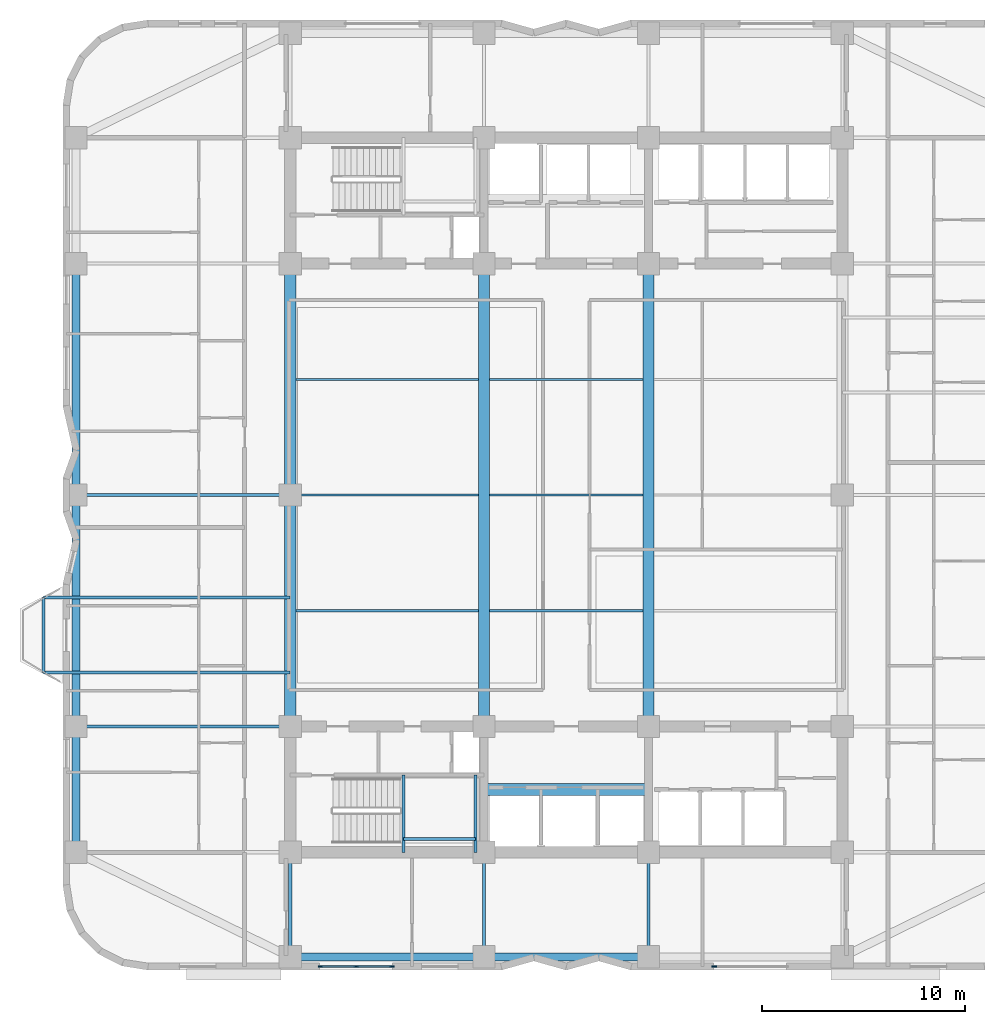
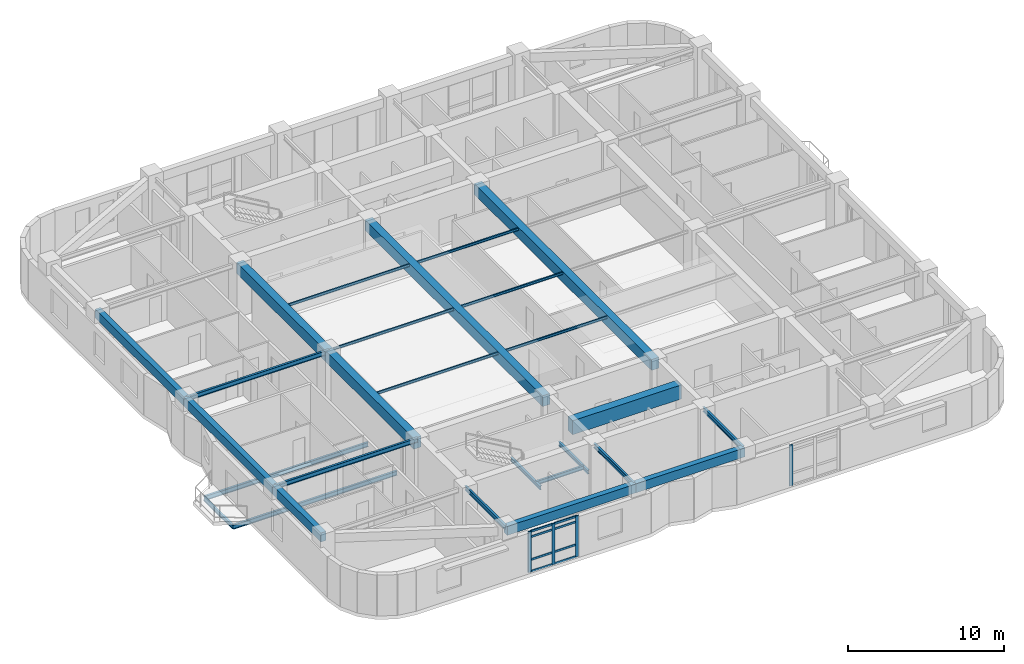
# One storey, part 2 of 15: 27 beams, 12 members, 2 elements without a shape of their own.
"""IFC4 building model written with IfcOpenShell, lengths in metres."""

from ifc_helpers import new_model, si_unit, direction, frame, origin, origin_2d, place, context, subcontext, project, spatial, rectangle, i_section, extrude, material, material_profile, profile_set, type_object, element, aggregate, save


model = new_model("IFC4")

# Units and contexts
model_context = context("Model", 3, precision=1e-05, world=origin(), true_north=direction((0.0, 1.0)))
body_context = subcontext(model_context, "Body", "Model", "MODEL_VIEW")
ifc_project = project(units=[si_unit("LENGTHUNIT", "METRE"), si_unit("AREAUNIT", "SQUARE_METRE"), si_unit("VOLUMEUNIT", "CUBIC_METRE"), si_unit("PLANEANGLEUNIT", "RADIAN"), si_unit("MASSUNIT", "GRAM", prefix="KILO")], contexts=[model_context])

# Site, building, storey
site_placement = place(None, origin())
site = spatial("IfcSite", under=ifc_project, at=site_placement, CompositionType="ELEMENT")
building_placement = place(site_placement, origin())
building = spatial("IfcBuilding", under=site, at=building_placement, Name="Svetorya Sky Lyceum", CompositionType="ELEMENT")
storey_placement = place(building_placement, frame((0.0, 0.0, 84.10009765625)))
storey = spatial("IfcBuildingStorey", under=building, at=storey_placement, Name="L20", CompositionType="ELEMENT", Elevation=84.10009765625)

# Beams
ifc_material_1 = material(Name="Concrete C60/75", Category="concrete")
ifc_material_profile_1 = material_profile(ifc_material_1, rectangle(XDim=0.60009765625, YDim=1.10009765625, at=origin_2d()), Name="RC COUPLING 600x1100")
ifc_profile_set_1 = profile_set([ifc_material_profile_1], Name="Concrete C60/75")
beam_type_1 = type_object("IfcBeamType", Name="BM-CPL-1100", PredefinedType="LINTEL", material=ifc_profile_set_1)
beam_1_placement = place(storey_placement, frame((35.14990234375, 13.699951171875, 3.369873046875), z_axis=(1.0, 0.0, 0.0), x_axis=(0.0, 1.0, 0.0)))
element("IfcBeam", 1, at=beam_1_placement, inside=storey, type_object=beam_type_1, Name="L20 SC Core Coupling Beam", PredefinedType="LINTEL", context=body_context, shape_type="SweptSolid", body=[
    extrude(rectangle(XDim=0.60009765625, YDim=1.10009765625, at=origin_2d()), origin(), (0.0, 0.0, 1.0), 8.10009765625),
])
ifc_material_2 = material(Name="Concrete C50/60", Category="concrete")
ifc_material_profile_2 = material_profile(ifc_material_2, rectangle(XDim=0.550048828125, YDim=0.85009765625, at=origin_2d()), Name="RC BEAM 550x850")
ifc_profile_set_2 = profile_set([ifc_material_profile_2], Name="Concrete C50/60")
beam_type_2 = type_object("IfcBeamType", Name="BM-RC-850", PredefinedType="BEAM", material=ifc_profile_set_2)
beam_2_placement = place(storey_placement, frame((25.60009765625, 16.800048828125, 3.494873046875), z_axis=(0.0, 1.0, 0.0), x_axis=(-1.0, 0.0, 0.0)))
element("IfcBeam", 2, at=beam_2_placement, inside=storey, type_object=beam_type_2, Name="L20 Central Bay Primary Girder CG-1A", PredefinedType="BEAM", context=body_context, shape_type="SweptSolid", body=[
    extrude(rectangle(XDim=0.550048828125, YDim=0.85009765625, at=origin_2d()), origin(), (0.0, 0.0, 1.0), 11.39990234375),
])
beam_3_placement = place(storey_placement, frame((25.60009765625, 28.199951171875, 3.494873046875), z_axis=(0.0, 1.0, 0.0), x_axis=(-1.0, 0.0, 0.0)))
element("IfcBeam", 3, at=beam_3_placement, inside=storey, type_object=beam_type_2, Name="L20 Central Bay Primary Girder CG-1B", PredefinedType="BEAM", context=body_context, shape_type="SweptSolid", body=[
    extrude(rectangle(XDim=0.550048828125, YDim=0.85009765625, at=origin_2d()), origin(), (0.0, 0.0, 1.0), 11.400146484375),
])
for number, where, z_axis, x_axis, name in (
    (4, (35.14990234375, 16.800048828125, 3.494873046875), (0.0, 1.0, 0.0), (-1.0, 0.0, 0.0), "L20 Central Bay Primary Girder CG-2"),
    (5, (43.25, 16.800048828125, 3.494873046875), (0.0, 1.0, 0.0), (-1.0, 0.0, 0.0), "L20 Central Bay Primary Girder CG-3"),
):
    element("IfcBeam", number, at=place(storey_placement, frame(where, z_axis=z_axis, x_axis=x_axis)), inside=storey, type_object=beam_type_2, Name=name, PredefinedType="BEAM", context=body_context, shape_type="SweptSolid", body=[
        extrude(rectangle(XDim=0.550048828125, YDim=0.85009765625, at=origin_2d()), origin(), (0.0, 0.0, 1.0), 22.800048828125),
    ])
ifc_material_profile_3 = material_profile(ifc_material_2, rectangle(XDim=0.39990234375, YDim=0.699951171875, at=origin_2d()), Name="RC SPANDREL 400x700")
ifc_profile_set_3 = profile_set([ifc_material_profile_3], Name="Concrete C50/60")
beam_type_3 = type_object("IfcBeamType", Name="BM-SPN-700", PredefinedType="SPANDREL", material=ifc_profile_set_3)
beam_4_placement = place(storey_placement, frame((25.60009765625, 5.449951171875, 3.56982421875), z_axis=(1.0, 0.0, 0.0), x_axis=(0.0, 1.0, 0.0)))
element("IfcBeam", 6, at=beam_4_placement, inside=storey, type_object=beam_type_3, Name="L20 South Spandrel 1", PredefinedType="SPANDREL", context=body_context, shape_type="SweptSolid", body=[
    extrude(rectangle(XDim=0.39990234375, YDim=0.699951171875, at=origin_2d()), origin(), (0.0, 0.0, 1.0), 9.5498046875),
])
beam_5_placement = place(storey_placement, frame((35.14990234375, 5.449951171875, 3.56982421875), z_axis=(1.0, 0.0, 0.0), x_axis=(0.0, 1.0, 0.0)))
element("IfcBeam", 7, at=beam_5_placement, inside=storey, type_object=beam_type_3, Name="L20 South Spandrel 2", PredefinedType="SPANDREL", context=body_context, shape_type="SweptSolid", body=[
    extrude(rectangle(XDim=0.39990234375, YDim=0.699951171875, at=origin_2d()), origin(), (0.0, 0.0, 1.0), 8.10009765625),
])
beam_6_placement = place(storey_placement, frame((15.050048828125, 10.60009765625, 3.56982421875), z_axis=(0.0, 1.0, 0.0), x_axis=(-1.0, 0.0, 0.0)))
element("IfcBeam", 8, at=beam_6_placement, inside=storey, type_object=beam_type_3, Name="L20 West Spandrel 1", PredefinedType="SPANDREL", context=body_context, shape_type="SweptSolid", body=[
    extrude(rectangle(XDim=0.39990234375, YDim=0.699951171875, at=origin_2d()), origin(), (0.0, 0.0, 1.0), 6.199951171875),
])
beam_7_placement = place(storey_placement, frame((15.050048828125, 16.800048828125, 3.56982421875), z_axis=(0.0, 1.0, 0.0), x_axis=(-1.0, 0.0, 0.0)))
element("IfcBeam", 9, at=beam_7_placement, inside=storey, type_object=beam_type_3, Name="L20 West Spandrel 2", PredefinedType="SPANDREL", context=body_context, shape_type="SweptSolid", body=[
    extrude(rectangle(XDim=0.39990234375, YDim=0.699951171875, at=origin_2d()), origin(), (0.0, 0.0, 1.0), 11.39990234375),
])
beam_8_placement = place(storey_placement, frame((15.050048828125, 28.199951171875, 3.56982421875), z_axis=(0.0, 1.0, 0.0), x_axis=(-1.0, 0.0, 0.0)))
element("IfcBeam", 10, at=beam_8_placement, inside=storey, type_object=beam_type_3, Name="L20 West Spandrel 3", PredefinedType="SPANDREL", context=body_context, shape_type="SweptSolid", body=[
    extrude(rectangle(XDim=0.39990234375, YDim=0.699951171875, at=origin_2d()), origin(), (0.0, 0.0, 1.0), 11.400146484375),
])
ifc_material_3 = material(Name="Steel S355", Category="steel")
ifc_material_profile_4 = material_profile(ifc_material_3, i_section(OverallWidth=0.10009765625, OverallDepth=0.199951171875, WebThickness=0.005615234375, FlangeThickness=0.008544921875, at=origin_2d()), Name="GOST 20B1")
ifc_profile_set_4 = profile_set([ifc_material_profile_4], Name="Steel S355")
beam_type_4 = type_object("IfcBeamType", Name="BM-STL-20B1", PredefinedType="JOIST", material=ifc_profile_set_4)
beam_9_placement = place(storey_placement, frame((25.875, 22.5, 3.81982421875), z_axis=(1.0, 0.0, 0.0), x_axis=(0.0, 1.0, 0.0)))
element("IfcBeam", 11, at=beam_9_placement, inside=storey, type_object=beam_type_4, Name="L20 Central Floor Joist CJ-1.1", PredefinedType="JOIST", context=body_context, shape_type="SweptSolid", body=[
    extrude(i_section(OverallWidth=0.10009765625, OverallDepth=0.199951171875, WebThickness=0.005615234375, FlangeThickness=0.008544921875, at=origin_2d()), origin(), (0.0, 0.0, 1.0), 9.0),
])
beam_10_placement = place(storey_placement, frame((35.425048828125, 22.5, 3.81982421875), z_axis=(1.0, 0.0, 0.0), x_axis=(0.0, 1.0, 0.0)))
element("IfcBeam", 12, at=beam_10_placement, inside=storey, type_object=beam_type_4, Name="L20 Central Floor Joist CJ-1.2", PredefinedType="JOIST", context=body_context, shape_type="SweptSolid", body=[
    extrude(i_section(OverallWidth=0.10009765625, OverallDepth=0.199951171875, WebThickness=0.005615234375, FlangeThickness=0.008544921875, at=origin_2d()), origin(), (0.0, 0.0, 1.0), 7.550048828125),
])
beam_11_placement = place(storey_placement, frame((25.875, 28.199951171875, 3.81982421875), z_axis=(1.0, 0.0, 0.0), x_axis=(0.0, 1.0, 0.0)))
element("IfcBeam", 13, at=beam_11_placement, inside=storey, type_object=beam_type_4, Name="L20 Central Floor Joist CJ-2.1", PredefinedType="JOIST", context=body_context, shape_type="SweptSolid", body=[
    extrude(i_section(OverallWidth=0.10009765625, OverallDepth=0.199951171875, WebThickness=0.005615234375, FlangeThickness=0.008544921875, at=origin_2d()), origin(), (0.0, 0.0, 1.0), 9.0),
])
beam_12_placement = place(storey_placement, frame((35.425048828125, 28.199951171875, 3.81982421875), z_axis=(1.0, 0.0, 0.0), x_axis=(0.0, 1.0, 0.0)))
element("IfcBeam", 14, at=beam_12_placement, inside=storey, type_object=beam_type_4, Name="L20 Central Floor Joist CJ-2.2", PredefinedType="JOIST", context=body_context, shape_type="SweptSolid", body=[
    extrude(i_section(OverallWidth=0.10009765625, OverallDepth=0.199951171875, WebThickness=0.005615234375, FlangeThickness=0.008544921875, at=origin_2d()), origin(), (0.0, 0.0, 1.0), 7.550048828125),
])
beam_13_placement = place(storey_placement, frame((25.875, 33.89990234375, 3.81982421875), z_axis=(1.0, 0.0, 0.0), x_axis=(0.0, 1.0, 0.0)))
element("IfcBeam", 15, at=beam_13_placement, inside=storey, type_object=beam_type_4, Name="L20 Central Floor Joist CJ-3.1", PredefinedType="JOIST", context=body_context, shape_type="SweptSolid", body=[
    extrude(i_section(OverallWidth=0.10009765625, OverallDepth=0.199951171875, WebThickness=0.005615234375, FlangeThickness=0.008544921875, at=origin_2d()), origin(), (0.0, 0.0, 1.0), 9.0),
])
beam_14_placement = place(storey_placement, frame((35.425048828125, 33.89990234375, 3.81982421875), z_axis=(1.0, 0.0, 0.0), x_axis=(0.0, 1.0, 0.0)))
element("IfcBeam", 16, at=beam_14_placement, inside=storey, type_object=beam_type_4, Name="L20 Central Floor Joist CJ-3.2", PredefinedType="JOIST", context=body_context, shape_type="SweptSolid", body=[
    extrude(i_section(OverallWidth=0.10009765625, OverallDepth=0.199951171875, WebThickness=0.005615234375, FlangeThickness=0.008544921875, at=origin_2d()), origin(), (0.0, 0.0, 1.0), 7.550048828125),
])
ifc_material_profile_5 = material_profile(ifc_material_3, i_section(OverallWidth=0.14990234375, OverallDepth=0.299072265625, WebThickness=0.006591796875, FlangeThickness=0.010498046875, at=origin_2d()), Name="GOST 30B2")
ifc_profile_set_5 = profile_set([ifc_material_profile_5], Name="Steel S355")
beam_type_5 = type_object("IfcBeamType", Name="BM-STL-30B2", PredefinedType="JOIST", material=ifc_profile_set_5)
beam_15_placement = place(storey_placement, frame((13.449951171875, 19.449951171875, -0.45458984375), z_axis=(0.0, 1.0, 0.0), x_axis=(-1.0, 0.0, 0.0)))
element("IfcBeam", 17, at=beam_15_placement, inside=storey, type_object=beam_type_5, Name="L20 Balcony Edge Tie BAL-W1", PredefinedType="JOIST", context=body_context, shape_type="SweptSolid", body=[
    extrude(i_section(OverallWidth=0.14990234375, OverallDepth=0.299072265625, WebThickness=0.006591796875, FlangeThickness=0.010498046875, at=origin_2d()), origin(), (0.0, 0.0, 1.0), 3.699951171875),
])
for number, where, z_axis, x_axis, name in (
    (18, (31.179931640625, 10.60009765625, 1.75048828125), (0.0, 1.0, 0.0), (-1.0, 0.0, 0.0), "L20 Stair ST-S Half-Landing Support Beam 24.1"),
    (19, (34.719970703125, 10.60009765625, 1.75048828125), (0.0, 1.0, 0.0), (-1.0, 0.0, 0.0), "L20 Stair ST-S Half-Landing Support Beam 24.2"),
):
    element("IfcBeam", number, at=place(storey_placement, frame(where, z_axis=z_axis, x_axis=x_axis)), inside=storey, type_object=beam_type_5, Name=name, PredefinedType="JOIST", context=body_context, shape_type="SweptSolid", body=[
        extrude(i_section(OverallWidth=0.14990234375, OverallDepth=0.299072265625, WebThickness=0.006591796875, FlangeThickness=0.010498046875, at=origin_2d()), origin(), (0.0, 0.0, 1.0), 3.7998046875),
    ])
beam_16_placement = place(storey_placement, frame((31.179931640625, 11.25, 1.75048828125), z_axis=(1.0, 0.0, 0.0), x_axis=(0.0, 1.0, 0.0)))
element("IfcBeam", 20, at=beam_16_placement, inside=storey, type_object=beam_type_5, Name="L20 Stair ST-S Half-Landing Cross Tie 24", PredefinedType="JOIST", context=body_context, shape_type="SweptSolid", body=[
    extrude(i_section(OverallWidth=0.14990234375, OverallDepth=0.299072265625, WebThickness=0.006591796875, FlangeThickness=0.010498046875, at=origin_2d()), origin(), (0.0, 0.0, 1.0), 3.5400390625),
])
ifc_material_profile_6 = material_profile(ifc_material_3, i_section(OverallWidth=0.155029296875, OverallDepth=0.34912109375, WebThickness=0.007080078125, FlangeThickness=0.011474609375, at=origin_2d()), Name="GOST 35B2")
ifc_profile_set_6 = profile_set([ifc_material_profile_6], Name="Steel S355")
beam_type_6 = type_object("IfcBeamType", Name="BM-STL-35B2", PredefinedType="JOIST", material=ifc_profile_set_6)
for number, where, z_axis, x_axis, name in (
    (21, (25.60009765625, 19.449951171875, -0.45458984375), (-1.0, 0.0, 0.0), (0.0, -1.0, 0.0), "L20 Balcony Cantilever Beam BAL-W1-1"),
    (22, (25.60009765625, 23.14990234375, -0.45458984375), (-1.0, 0.0, 0.0), (0.0, -1.0, 0.0), "L20 Balcony Cantilever Beam BAL-W1-2"),
):
    element("IfcBeam", number, at=place(storey_placement, frame(where, z_axis=z_axis, x_axis=x_axis)), inside=storey, type_object=beam_type_6, Name=name, PredefinedType="JOIST", context=body_context, shape_type="SweptSolid", body=[
        extrude(i_section(OverallWidth=0.155029296875, OverallDepth=0.34912109375, WebThickness=0.007080078125, FlangeThickness=0.011474609375, at=origin_2d()), origin(), (0.0, 0.0, 1.0), 12.150146484375),
    ])
for number, where, z_axis, x_axis, name in (
    (23, (15.050048828125, 16.800048828125, 3.745361328125), (1.0, 0.0, 0.0), (0.0, 1.0, 0.0), "L20 West Wing Floor Joist W2"),
    (24, (15.050048828125, 28.199951171875, 3.745361328125), (1.0, 0.0, 0.0), (0.0, 1.0, 0.0), "L20 West Wing Floor Joist W3"),
):
    element("IfcBeam", number, at=place(storey_placement, frame(where, z_axis=z_axis, x_axis=x_axis)), inside=storey, type_object=beam_type_6, Name=name, PredefinedType="JOIST", context=body_context, shape_type="SweptSolid", body=[
        extrude(i_section(OverallWidth=0.155029296875, OverallDepth=0.34912109375, WebThickness=0.007080078125, FlangeThickness=0.011474609375, at=origin_2d()), origin(), (0.0, 0.0, 1.0), 10.550048828125),
    ])
for number, where, z_axis, x_axis, name in (
    (25, (25.60009765625, 5.449951171875, 3.745361328125), (0.0, 1.0, 0.0), (-1.0, 0.0, 0.0), "L20 South Bay Floor Girder S1"),
    (26, (35.14990234375, 5.449951171875, 3.745361328125), (0.0, 1.0, 0.0), (-1.0, 0.0, 0.0), "L20 South Bay Floor Girder S2"),
    (27, (43.25, 5.449951171875, 3.745361328125), (0.0, 1.0, 0.0), (-1.0, 0.0, 0.0), "L20 South Bay Floor Girder S3"),
):
    element("IfcBeam", number, at=place(storey_placement, frame(where, z_axis=z_axis, x_axis=x_axis)), inside=storey, type_object=beam_type_6, Name=name, PredefinedType="JOIST", context=body_context, shape_type="SweptSolid", body=[
        extrude(i_section(OverallWidth=0.155029296875, OverallDepth=0.34912109375, WebThickness=0.007080078125, FlangeThickness=0.011474609375, at=origin_2d()), origin(), (0.0, 0.0, 1.0), 5.150146484375),
    ])

# Curtain wall, members
ifc_material_4 = material(Name="Thermally broken anodized aluminium and triple low-E glass", Category="aluminium")
curtain_wall_type = type_object("IfcCurtainWallType", Name="CW4-SKY-GALL", PredefinedType="NOTDEFINED", material=ifc_material_4)
curtain_wall_1_placement = place(storey_placement, origin())
curtain_wall_1 = element("IfcCurtainWall", 28, at=curtain_wall_1_placement, inside=storey, type_object=curtain_wall_type, Name="L20 Sky-Lobby Panorama Curtain Wall 6", PredefinedType="NOTDEFINED")
ifc_material_5 = material(Name="Thermally broken anodized aluminium EN AW-6060", Category="aluminium")
ifc_material_profile_7 = material_profile(ifc_material_5, rectangle(XDim=0.0849609375, YDim=0.239990234375, at=origin_2d()), Name="ALU MULLION 85x240")
ifc_profile_set_7 = profile_set([ifc_material_profile_7], Name="Thermally broken anodized aluminium EN AW-6060")
member_type_1 = type_object("IfcMemberType", Name="CWM-MUL-240", PredefinedType="MULLION", material=ifc_profile_set_7)
member_1_placement = place(storey_placement, frame((27.092529296875, 4.969970703125, 0.0), z_axis=(0.0, 0.0, 1.0), x_axis=(0.0, 1.0, 0.0)))
member_1 = element("IfcMember", 29, at=member_1_placement, type_object=member_type_1, Name="CW-4 mullion 1", PredefinedType="MULLION", context=body_context, shape_type="SweptSolid", body=[
    extrude(rectangle(XDim=0.0849609375, YDim=0.239990234375, at=origin_2d()), origin(), (0.0, 0.0, 1.0), 3.199951171875),
])
member_2_placement = place(storey_placement, frame((28.85009765625, 4.969970703125, 0.0), z_axis=(0.0, 0.0, 1.0), x_axis=(0.0, 1.0, 0.0)))
member_2 = element("IfcMember", 30, at=member_2_placement, type_object=member_type_1, Name="CW-4 mullion 2", PredefinedType="MULLION", context=body_context, shape_type="SweptSolid", body=[
    extrude(rectangle(XDim=0.0849609375, YDim=0.239990234375, at=origin_2d()), origin(), (0.0, 0.0, 1.0), 3.199951171875),
])
member_3_placement = place(storey_placement, frame((30.607421875, 4.969970703125, 0.0), z_axis=(0.0, 0.0, 1.0), x_axis=(0.0, 1.0, 0.0)))
member_3 = element("IfcMember", 31, at=member_3_placement, type_object=member_type_1, Name="CW-4 mullion 3", PredefinedType="MULLION", context=body_context, shape_type="SweptSolid", body=[
    extrude(rectangle(XDim=0.0849609375, YDim=0.239990234375, at=origin_2d()), origin(), (0.0, 0.0, 1.0), 3.199951171875),
])

# Curtain wall, member
curtain_wall_2_placement = place(storey_placement, origin())
curtain_wall_2 = element("IfcCurtainWall", 32, at=curtain_wall_2_placement, inside=storey, type_object=curtain_wall_type, Name="L20 Sky-Lobby Panorama Curtain Wall 11", PredefinedType="NOTDEFINED")
member_4_placement = place(storey_placement, frame((46.492431640625, 4.969970703125, 0.0), z_axis=(0.0, 0.0, 1.0), x_axis=(0.0, 1.0, 0.0)))
member_4 = element("IfcMember", 33, at=member_4_placement, type_object=member_type_1, Name="CW-4 mullion 1", PredefinedType="MULLION", context=body_context, shape_type="SweptSolid", body=[
    extrude(rectangle(XDim=0.0849609375, YDim=0.239990234375, at=origin_2d()), origin(), (0.0, 0.0, 1.0), 3.199951171875),
])
aggregate(curtain_wall_2, [member_4])

# Member
ifc_material_profile_8 = material_profile(ifc_material_5, rectangle(XDim=0.074951171875, YDim=0.159912109375, at=origin_2d()), Name="ALU TRANSOM 75x160")
ifc_profile_set_8 = profile_set([ifc_material_profile_8], Name="Thermally broken anodized aluminium EN AW-6060")
member_type_2 = type_object("IfcMemberType", Name="CWM-TRN-160", PredefinedType="USERDEFINED", material=ifc_profile_set_8)
member_5_placement = place(storey_placement, frame((27.133544921875, 4.969970703125, 0.037353515625), z_axis=(1.0, 0.0, 0.0), x_axis=(0.0, 1.0, 0.0)))
member_5 = element("IfcMember", 34, at=member_5_placement, type_object=member_type_2, Name="CW-4 transom 1.1", ObjectType="TRANSOM", PredefinedType="USERDEFINED", context=body_context, shape_type="SweptSolid", body=[
    extrude(rectangle(XDim=0.074951171875, YDim=0.159912109375, at=origin_2d()), origin(), (0.0, 0.0, 1.0), 1.675537109375),
])

member_6_placement = place(storey_placement, frame((27.133544921875, 4.969970703125, 0.9599609375), z_axis=(1.0, 0.0, 0.0), x_axis=(0.0, 1.0, 0.0)))
member_6 = element("IfcMember", 35, at=member_6_placement, type_object=member_type_2, Name="CW-4 transom 1.2", ObjectType="TRANSOM", PredefinedType="USERDEFINED", context=body_context, shape_type="SweptSolid", body=[
    extrude(rectangle(XDim=0.074951171875, YDim=0.159912109375, at=origin_2d()), origin(), (0.0, 0.0, 1.0), 1.675537109375),
])

member_7_placement = place(storey_placement, frame((27.133544921875, 4.969970703125, 2.75), z_axis=(1.0, 0.0, 0.0), x_axis=(0.0, 1.0, 0.0)))
member_7 = element("IfcMember", 36, at=member_7_placement, type_object=member_type_2, Name="CW-4 transom 1.3", ObjectType="TRANSOM", PredefinedType="USERDEFINED", context=body_context, shape_type="SweptSolid", body=[
    extrude(rectangle(XDim=0.074951171875, YDim=0.159912109375, at=origin_2d()), origin(), (0.0, 0.0, 1.0), 1.675537109375),
])

member_8_placement = place(storey_placement, frame((27.133544921875, 4.969970703125, 3.162353515625), z_axis=(1.0, 0.0, 0.0), x_axis=(0.0, 1.0, 0.0)))
member_8 = element("IfcMember", 37, at=member_8_placement, type_object=member_type_2, Name="CW-4 transom 1.4", ObjectType="TRANSOM", PredefinedType="USERDEFINED", context=body_context, shape_type="SweptSolid", body=[
    extrude(rectangle(XDim=0.074951171875, YDim=0.159912109375, at=origin_2d()), origin(), (0.0, 0.0, 1.0), 1.675537109375),
])

member_9_placement = place(storey_placement, frame((28.89111328125, 4.969970703125, 0.037353515625), z_axis=(1.0, 0.0, 0.0), x_axis=(0.0, 1.0, 0.0)))
member_9 = element("IfcMember", 38, at=member_9_placement, type_object=member_type_2, Name="CW-4 transom 2.1", ObjectType="TRANSOM", PredefinedType="USERDEFINED", context=body_context, shape_type="SweptSolid", body=[
    extrude(rectangle(XDim=0.074951171875, YDim=0.159912109375, at=origin_2d()), origin(), (0.0, 0.0, 1.0), 1.67529296875),
])

member_10_placement = place(storey_placement, frame((28.89111328125, 4.969970703125, 0.9599609375), z_axis=(1.0, 0.0, 0.0), x_axis=(0.0, 1.0, 0.0)))
member_10 = element("IfcMember", 39, at=member_10_placement, type_object=member_type_2, Name="CW-4 transom 2.2", ObjectType="TRANSOM", PredefinedType="USERDEFINED", context=body_context, shape_type="SweptSolid", body=[
    extrude(rectangle(XDim=0.074951171875, YDim=0.159912109375, at=origin_2d()), origin(), (0.0, 0.0, 1.0), 1.67529296875),
])

member_11_placement = place(storey_placement, frame((28.89111328125, 4.969970703125, 2.75), z_axis=(1.0, 0.0, 0.0), x_axis=(0.0, 1.0, 0.0)))
member_11 = element("IfcMember", 40, at=member_11_placement, type_object=member_type_2, Name="CW-4 transom 2.3", ObjectType="TRANSOM", PredefinedType="USERDEFINED", context=body_context, shape_type="SweptSolid", body=[
    extrude(rectangle(XDim=0.074951171875, YDim=0.159912109375, at=origin_2d()), origin(), (0.0, 0.0, 1.0), 1.67529296875),
])

member_12_placement = place(storey_placement, frame((28.89111328125, 4.969970703125, 3.162353515625), z_axis=(1.0, 0.0, 0.0), x_axis=(0.0, 1.0, 0.0)))
member_12 = element("IfcMember", 41, at=member_12_placement, type_object=member_type_2, Name="CW-4 transom 2.4", ObjectType="TRANSOM", PredefinedType="USERDEFINED", context=body_context, shape_type="SweptSolid", body=[
    extrude(rectangle(XDim=0.074951171875, YDim=0.159912109375, at=origin_2d()), origin(), (0.0, 0.0, 1.0), 1.67529296875),
])

aggregate(curtain_wall_1, [member_1, member_2, member_3, member_5, member_6, member_7, member_8, member_9, member_10, member_11, member_12])

save(model, "model.ifc")
